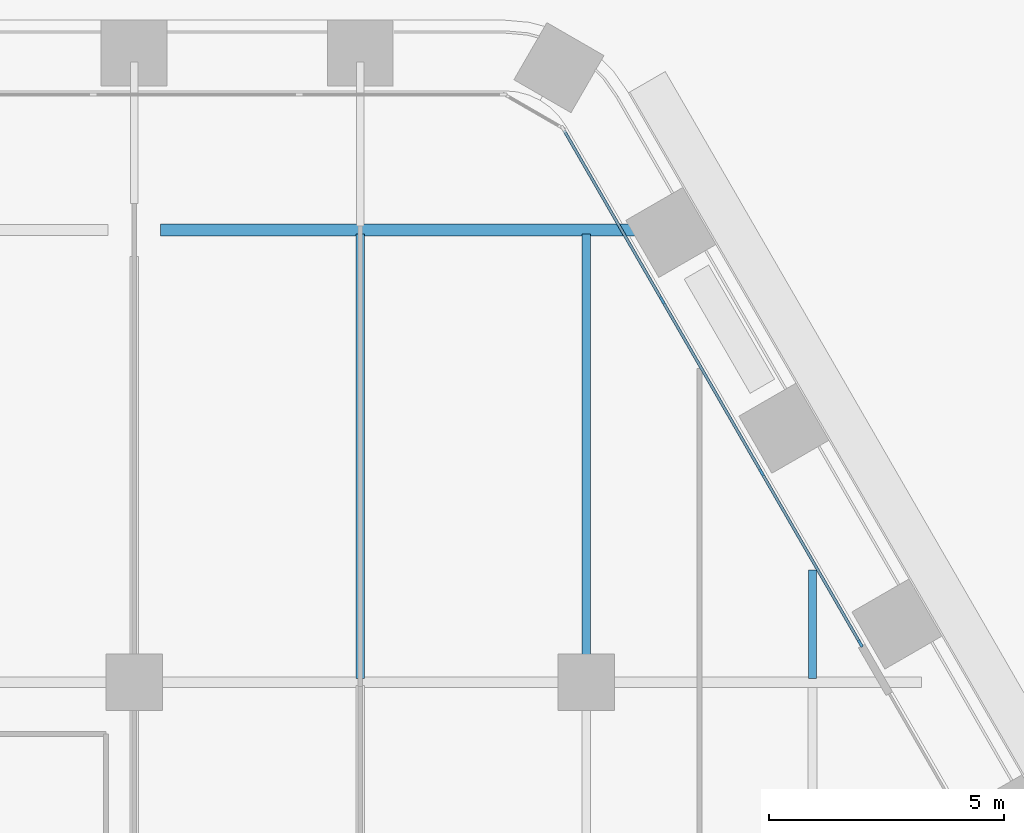
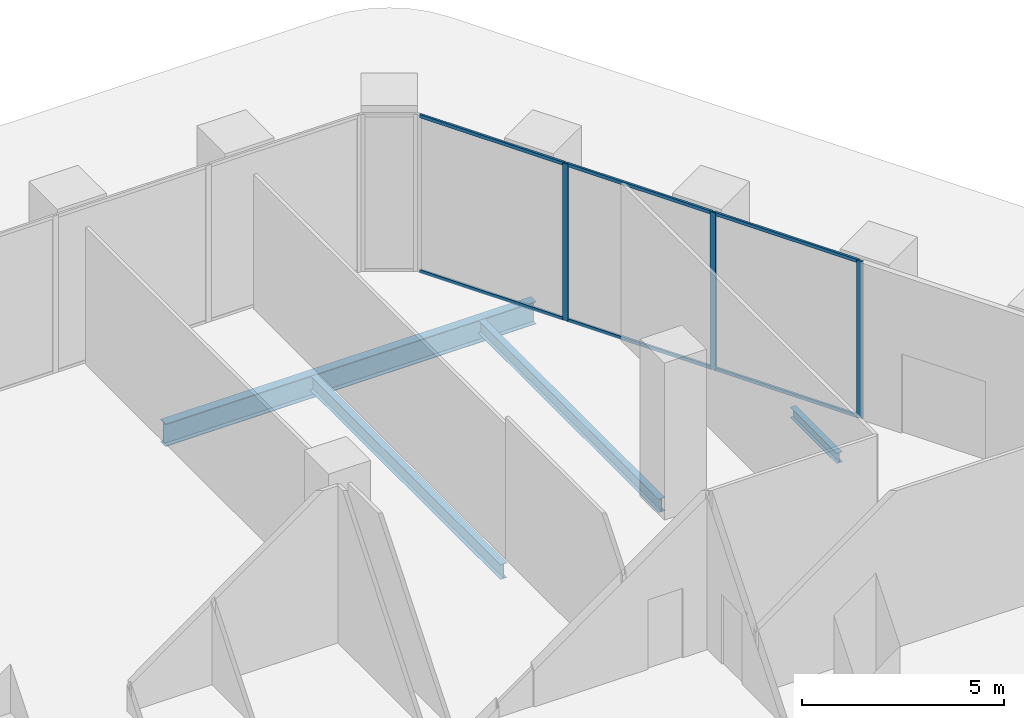
# One storey, part 10 of 29: 9 members, 4 beams, 1 element without a shape of its own.
"""IFC4 building model written with IfcOpenShell, lengths in metres."""

from ifc_helpers import new_model, si_unit, direction, frame, origin, origin_2d, place, context, subcontext, project, spatial, rectangle, i_section, extrude, material, material_profile, profile_set, type_object, element, aggregate, save


model = new_model("IFC4")

# Units and contexts
model_context = context("Model", 3, precision=1e-05, world=origin(), true_north=direction((0.0, 1.0)))
body_context = subcontext(model_context, "Body", "Model", "MODEL_VIEW")
ifc_project = project(units=[si_unit("LENGTHUNIT", "METRE"), si_unit("AREAUNIT", "SQUARE_METRE"), si_unit("VOLUMEUNIT", "CUBIC_METRE"), si_unit("PLANEANGLEUNIT", "RADIAN"), si_unit("MASSUNIT", "GRAM", prefix="KILO")], contexts=[model_context])

# Site, building, storey
site_placement = place(None, origin())
site = spatial("IfcSite", under=ifc_project, at=site_placement, CompositionType="ELEMENT")
building_placement = place(site_placement, origin())
building = spatial("IfcBuilding", under=site, at=building_placement, Name="Kolab Exchange Tower", CompositionType="ELEMENT")
storey_placement = place(building_placement, frame((0.0, 0.0, 17.39990234375)))
storey = spatial("IfcBuildingStorey", under=building, at=storey_placement, Name="L03", CompositionType="ELEMENT", Elevation=17.39990234375)

# Beams
ifc_material_1 = material(Name="Steel S355", Category="steel")
ifc_material_profile_1 = material_profile(ifc_material_1, i_section(OverallWidth=0.1650390625, OverallDepth=0.31005859375, WebThickness=0.005859375, FlangeThickness=0.009765625, at=origin_2d()), Name="W310X39")
ifc_profile_set_1 = profile_set([ifc_material_profile_1], Name="Steel S355")
beam_type_1 = type_object("IfcBeamType", Name="FLOOR BEAM W310X39", PredefinedType="BEAM", material=ifc_profile_set_1)
beam_1_placement = place(storey_placement, frame((24.0, 19.27392578125, -0.40478515625), z_axis=(0.0, 1.0, 0.0), x_axis=(-1.0, 0.0, 0.0)))
element("IfcBeam", 1, at=beam_1_placement, inside=storey, type_object=beam_type_1, Name="beam/L03/fr/073", PredefinedType="BEAM", context=body_context, shape_type="SweptSolid", body=[
    extrude(i_section(OverallWidth=0.1650390625, OverallDepth=0.31005859375, WebThickness=0.005859375, FlangeThickness=0.009765625, at=origin_2d()), origin(), (0.0, 0.0, 1.0), 2.3076171875),
])
ifc_material_profile_2 = material_profile(ifc_material_1, i_section(OverallWidth=0.177978515625, OverallDepth=0.406982421875, WebThickness=0.0078125, FlangeThickness=0.0126953125, at=origin_2d()), Name="W410X60")
ifc_profile_set_2 = profile_set([ifc_material_profile_2], Name="Steel S355")
beam_type_2 = type_object("IfcBeamType", Name="FLOOR BEAM W410X60", PredefinedType="BEAM", material=ifc_profile_set_2)
beam_2_placement = place(storey_placement, frame((19.199951171875, 19.760009765625, -0.453369140625), z_axis=(0.0, 1.0, 0.0), x_axis=(-1.0, 0.0, 0.0)))
element("IfcBeam", 2, at=beam_2_placement, inside=storey, type_object=beam_type_2, Name="beam/L03/fr/067", PredefinedType="BEAM", context=body_context, shape_type="SweptSolid", body=[
    extrude(i_section(OverallWidth=0.177978515625, OverallDepth=0.406982421875, WebThickness=0.0078125, FlangeThickness=0.0126953125, at=origin_2d()), origin(), (0.0, 0.0, 1.0), 8.952880859375),
])
ifc_material_profile_3 = material_profile(ifc_material_1, i_section(OverallWidth=0.18994140625, OverallDepth=0.45703125, WebThickness=0.009033203125, FlangeThickness=0.014404296875, at=origin_2d()), Name="W460X74")
ifc_profile_set_3 = profile_set([ifc_material_profile_3], Name="Steel S355")
beam_type_3 = type_object("IfcBeamType", Name="FLOOR BEAM W460X74", PredefinedType="BEAM", material=ifc_profile_set_3)
beam_3_placement = place(storey_placement, frame((14.39990234375, 19.27392578125, -0.478515625), z_axis=(0.0, 1.0, 0.0), x_axis=(-1.0, 0.0, 0.0)))
element("IfcBeam", 3, at=beam_3_placement, inside=storey, type_object=beam_type_3, Name="beam/L03/fr/059", PredefinedType="BEAM", context=body_context, shape_type="SweptSolid", body=[
    extrude(i_section(OverallWidth=0.18994140625, OverallDepth=0.45703125, WebThickness=0.009033203125, FlangeThickness=0.014404296875, at=origin_2d()), origin(), (0.0, 0.0, 1.0), 9.43896484375),
])
ifc_material_profile_4 = material_profile(ifc_material_1, i_section(OverallWidth=0.25390625, OverallDepth=0.68408203125, WebThickness=0.012451171875, FlangeThickness=0.018798828125, at=origin_2d()), Name="W690X140")
ifc_profile_set_4 = profile_set([ifc_material_profile_4], Name="Steel S355")
beam_type_4 = type_object("IfcBeamType", Name="FLOOR GIRDER W690X140", PredefinedType="BEAM", material=ifc_profile_set_4)
beam_4_placement = place(storey_placement, frame((10.159912109375, 28.800048828125, -0.591796875), z_axis=(1.0, 0.0, 0.0), x_axis=(0.0, 1.0, 0.0)))
element("IfcBeam", 4, at=beam_4_placement, inside=storey, type_object=beam_type_4, Name="beam/L03/gd/025", PredefinedType="BEAM", context=body_context, shape_type="SweptSolid", body=[
    extrude(i_section(OverallWidth=0.25390625, OverallDepth=0.68408203125, WebThickness=0.012451171875, FlangeThickness=0.018798828125, at=origin_2d()), origin(), (0.0, 0.0, 1.0), 10.59716796875),
])

# Curtain wall, members
ifc_material_2 = material(Name="Aluminium EN AW-6063 T6", Category="aluminium")
curtain_wall_type = type_object("IfcCurtainWallType", Name="UNITISED LOW ZONE CURTAIN WALL", PredefinedType="NOTDEFINED", material=ifc_material_2)
curtain_wall_placement = place(storey_placement, origin())
curtain_wall = element("IfcCurtainWall", 5, at=curtain_wall_placement, inside=storey, type_object=curtain_wall_type, Name="cw/L03/F2-1", PredefinedType="NOTDEFINED")
ifc_material_profile_5 = material_profile(ifc_material_2, rectangle(XDim=0.06005859375, YDim=0.159912109375, at=origin_2d()), Name="RECT 60X160")
ifc_profile_set_5 = profile_set([ifc_material_profile_5], Name="Aluminium EN AW-6063 T6")
member_type_1 = type_object("IfcMemberType", Name="UNITISED LOW ZONE MULLION 60 X 160", PredefinedType="MULLION", material=ifc_profile_set_5)
member_1_placement = place(storey_placement, frame((20.80908203125, 27.308349609375, 0.0), z_axis=(0.0, 0.0, 1.0), x_axis=(0.866025393644, 0.500000017564, 0.0)))
member_1 = element("IfcMember", 6, at=member_1_placement, type_object=member_type_1, Name="CW1 mullion 2", PredefinedType="MULLION", context=body_context, shape_type="SweptSolid", body=[
    extrude(rectangle(XDim=0.06005859375, YDim=0.159912109375, at=origin_2d()), origin(), (0.0, 0.0, 1.0), 4.75),
])
member_2_placement = place(storey_placement, frame((22.92041015625, 23.651611328125, 0.0), z_axis=(0.0, 0.0, 1.0), x_axis=(0.866025393644, 0.500000017564, 0.0)))
member_2 = element("IfcMember", 7, at=member_2_placement, type_object=member_type_1, Name="CW1 mullion 3", PredefinedType="MULLION", context=body_context, shape_type="SweptSolid", body=[
    extrude(rectangle(XDim=0.06005859375, YDim=0.159912109375, at=origin_2d()), origin(), (0.0, 0.0, 1.0), 4.75),
])
member_3_placement = place(storey_placement, frame((25.0166015625, 20.0205078125, 0.0), z_axis=(0.0, 0.0, 1.0), x_axis=(0.866025393644, 0.500000017564, 0.0)))
member_3 = element("IfcMember", 8, at=member_3_placement, type_object=member_type_1, Name="CW1 mullion 4", PredefinedType="MULLION", context=body_context, shape_type="SweptSolid", body=[
    extrude(rectangle(XDim=0.06005859375, YDim=0.159912109375, at=origin_2d()), origin(), (0.0, 0.0, 1.0), 4.75),
])
ifc_material_profile_6 = material_profile(ifc_material_2, rectangle(XDim=0.06005859375, YDim=0.10009765625, at=origin_2d()), Name="RECT 60X100")
ifc_profile_set_6 = profile_set([ifc_material_profile_6], Name="Aluminium EN AW-6063 T6")
member_type_2 = type_object("IfcMemberType", Name="UNITISED LOW ZONE TRANSOM 60 X 100", PredefinedType="USERDEFINED", material=ifc_profile_set_6)
member_4_placement = place(storey_placement, frame((18.727783203125, 30.913330078125, 0.030029296875), z_axis=(0.499983268986, -0.866035063224, 0.0), x_axis=(0.866035063224, 0.499983268986, 0.0)))
member_4 = element("IfcMember", 9, at=member_4_placement, type_object=member_type_2, Name="CW1 transom 1.1", ObjectType="TRANSOM", PredefinedType="USERDEFINED", context=body_context, shape_type="SweptSolid", body=[
    extrude(rectangle(XDim=0.06005859375, YDim=0.10009765625, at=origin_2d()), origin(), (0.0, 0.0, 1.0), 4.132568359375),
])
member_5_placement = place(storey_placement, frame((18.727783203125, 30.913330078125, 4.72021484375), z_axis=(0.499983268986, -0.866035063224, 0.0), x_axis=(0.866035063224, 0.499983268986, 0.0)))
member_5 = element("IfcMember", 10, at=member_5_placement, type_object=member_type_2, Name="CW1 transom 1.2", ObjectType="TRANSOM", PredefinedType="USERDEFINED", context=body_context, shape_type="SweptSolid", body=[
    extrude(rectangle(XDim=0.06005859375, YDim=0.10009765625, at=origin_2d()), origin(), (0.0, 0.0, 1.0), 4.132568359375),
])
member_6_placement = place(storey_placement, frame((20.823974609375, 27.282470703125, 0.030029296875), z_axis=(0.49999322259, -0.866029316688, 0.0), x_axis=(0.866029316688, 0.49999322259, 0.0)))
member_6 = element("IfcMember", 11, at=member_6_placement, type_object=member_type_2, Name="CW1 transom 2.1", ObjectType="TRANSOM", PredefinedType="USERDEFINED", context=body_context, shape_type="SweptSolid", body=[
    extrude(rectangle(XDim=0.06005859375, YDim=0.10009765625, at=origin_2d()), origin(), (0.0, 0.0, 1.0), 4.16259765625),
])
member_7_placement = place(storey_placement, frame((20.823974609375, 27.282470703125, 4.72021484375), z_axis=(0.49999322259, -0.866029316688, 0.0), x_axis=(0.866029316688, 0.49999322259, 0.0)))
member_7 = element("IfcMember", 12, at=member_7_placement, type_object=member_type_2, Name="CW1 transom 2.2", ObjectType="TRANSOM", PredefinedType="USERDEFINED", context=body_context, shape_type="SweptSolid", body=[
    extrude(rectangle(XDim=0.06005859375, YDim=0.10009765625, at=origin_2d()), origin(), (0.0, 0.0, 1.0), 4.16259765625),
])
member_8_placement = place(storey_placement, frame((22.935302734375, 23.62548828125, 0.030029296875), z_axis=(0.500027577057, -0.866009481578, 0.0), x_axis=(0.866009481578, 0.500027577057, 0.0)))
member_8 = element("IfcMember", 13, at=member_8_placement, type_object=member_type_2, Name="CW1 transom 3.1", ObjectType="TRANSOM", PredefinedType="USERDEFINED", context=body_context, shape_type="SweptSolid", body=[
    extrude(rectangle(XDim=0.06005859375, YDim=0.10009765625, at=origin_2d()), origin(), (0.0, 0.0, 1.0), 4.132568359375),
])
member_9_placement = place(storey_placement, frame((22.935302734375, 23.62548828125, 4.72021484375), z_axis=(0.500027577057, -0.866009481578, 0.0), x_axis=(0.866009481578, 0.500027577057, 0.0)))
member_9 = element("IfcMember", 14, at=member_9_placement, type_object=member_type_2, Name="CW1 transom 3.2", ObjectType="TRANSOM", PredefinedType="USERDEFINED", context=body_context, shape_type="SweptSolid", body=[
    extrude(rectangle(XDim=0.06005859375, YDim=0.10009765625, at=origin_2d()), origin(), (0.0, 0.0, 1.0), 4.132568359375),
])
aggregate(curtain_wall, [member_1, member_2, member_3, member_4, member_5, member_6, member_7, member_8, member_9])

save(model, "model.ifc")
